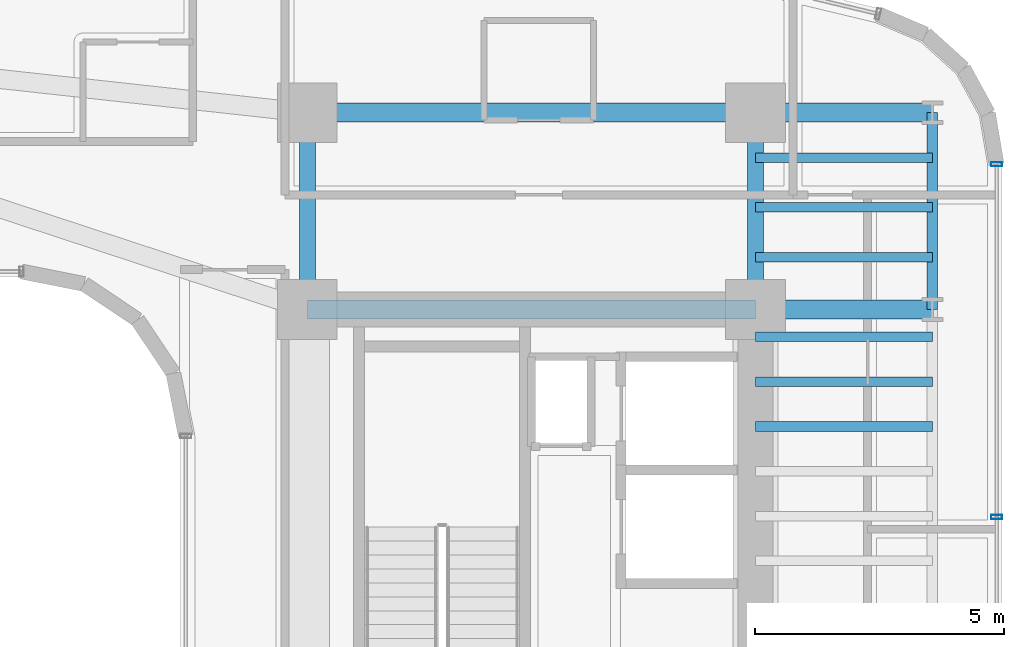
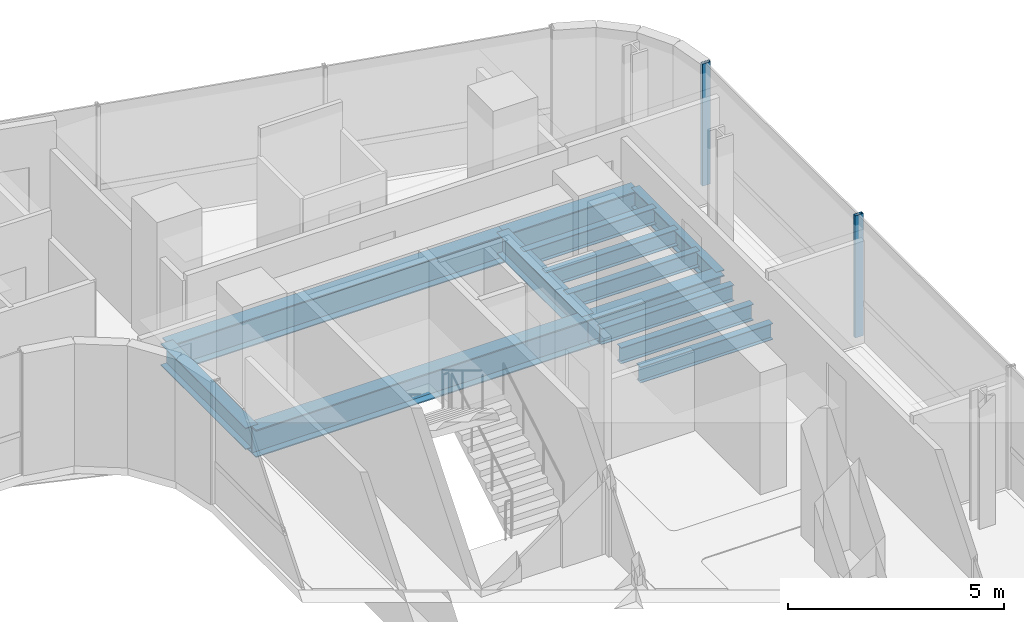
# One storey, part 18 of 35: 13 beams, 2 members, 1 element without a shape of its own.
"""IFC4 building model written with IfcOpenShell, lengths in metres."""

import ifcopenshell
import ifcopenshell.guid

model = None  # the IFC model being written
_history = None  # IfcOwnerHistory: only IFC2X3 demands one
_inside = {}  # id of a spatial element -> (the spatial element, [elements in it])
_under = {}  # id of a project, library or spatial element -> (it, [spatial elements below it])
_declared = {}  # id of a project -> (the project, [libraries it declares])
_typed = {}  # id of a type object -> (the type object, [elements of that type])
_made_of = {}  # id of a material, layer set ... -> (it, [elements and type objects made of it])


def new_model(schema):
    """Start an empty IFC model of exactly this schema.

    Asked for "IFC4X3", IfcOpenShell would pick the latest addendum, in which some entities
    have other attributes; the version numbers below select the first issue.
    IFC2X3 requires an IfcOwnerHistory on every rooted entity: one is made here for all.
    """
    global model, _history
    if schema == "IFC4X3":
        model = ifcopenshell.file(schema_version=(4, 3, 0, 0))
    else:
        model = ifcopenshell.file(schema=schema)
    _inside.clear()
    _under.clear()
    _declared.clear()
    _typed.clear()
    _made_of.clear()
    _history = None
    if model.schema == "IFC2X3":
        org = make("IfcOrganization", Name="unknown")
        user = make(
            "IfcPersonAndOrganization",
            ThePerson=make("IfcPerson", FamilyName="unknown"),
            TheOrganization=org,
        )
        app = make(
            "IfcApplication",
            ApplicationDeveloper=org,
            Version="unknown",
            ApplicationFullName="unknown",
            ApplicationIdentifier="unknown",
        )
        _history = make(
            "IfcOwnerHistory",
            OwningUser=user,
            OwningApplication=app,
            ChangeAction="ADDED",
            CreationDate=0,
        )
    return model


def make(cls, **values):
    """One entity of the class cls with the attributes given. An attribute that is None is left unset."""
    return model.create_entity(
        cls, **{name: value for name, value in values.items() if value is not None}
    )


def rooted(cls, **values):
    """An entity with a GlobalId (a new one), such as an element, a storey or a relation."""
    return make(cls, GlobalId=ifcopenshell.guid.new(), OwnerHistory=_history, **values)


def si_unit(unit_type, name, prefix=None):
    """IfcSIUnit, for example si_unit("LENGTHUNIT", "METRE", prefix="MILLI")."""
    return make("IfcSIUnit", UnitType=unit_type, Prefix=prefix, Name=name)


def assignment(units):
    """IfcUnitAssignment: the units of a project."""
    return None if units is None else make("IfcUnitAssignment", Units=units)


def point(xyz):
    """IfcCartesianPoint."""
    return None if xyz is None else make("IfcCartesianPoint", Coordinates=xyz)


def direction(xyz):
    """IfcDirection."""
    return None if xyz is None else make("IfcDirection", DirectionRatios=xyz)


def frame(location, z_axis=None, x_axis=None):
    """IfcAxis2Placement3D, a coordinate frame: its origin and axes. An axis left out is left unset."""
    return make(
        "IfcAxis2Placement3D",
        Location=point(location),
        Axis=direction(z_axis),
        RefDirection=direction(x_axis),
    )


def frame_2d(location, x_axis=None):
    """IfcAxis2Placement2D, a coordinate frame in the plane: its origin and x axis."""
    return make(
        "IfcAxis2Placement2D", Location=point(location), RefDirection=direction(x_axis)
    )


def origin():
    """The frame at (0, 0, 0) with its axes left unset."""
    return frame((0.0, 0.0, 0.0))


def origin_2d():
    """The frame at (0, 0) in the plane with its x axis left unset."""
    return frame_2d((0.0, 0.0))


def place(relative_to, where):
    """IfcLocalPlacement: puts the frame where relative to a parent placement (None: the world)."""
    return make(
        "IfcLocalPlacement", PlacementRelTo=relative_to, RelativePlacement=where
    )


def context(
    kind, dimensions, precision=None, world=None, true_north=None, identifier=None
):
    """IfcGeometricRepresentationContext, for example the 3D "Model" context."""
    return make(
        "IfcGeometricRepresentationContext",
        ContextIdentifier=identifier,
        ContextType=kind,
        CoordinateSpaceDimension=dimensions,
        Precision=precision,
        WorldCoordinateSystem=world,
        TrueNorth=true_north,
    )


def subcontext(parent, identifier, kind, view, scale=None):
    """IfcGeometricRepresentationSubContext, for example "Body" below "Model"."""
    return make(
        "IfcGeometricRepresentationSubContext",
        ContextIdentifier=identifier,
        ContextType=kind,
        ParentContext=parent,
        TargetScale=scale,
        TargetView=view,
    )


def project(units=None, contexts=None):
    """IfcProject with its units and contexts."""
    return rooted(
        "IfcProject",
        Name="project",
        RepresentationContexts=contexts,
        UnitsInContext=assignment(units),
    )


def spatial(cls, under=None, at=None, **own):
    """A site, building, storey or space (cls), placed at a placement, below another one or the project."""
    s = rooted(cls, ObjectPlacement=at, **own)
    if under is not None:
        _under.setdefault(under.id(), (under, []))[1].append(s)
    return s


def profile(cls, at=None, kind="AREA", **sizes):
    """A parametric profile (cls). Its sizes go by their IFC names, for example OverallWidth=200.0."""
    return make(cls, ProfileType=kind, Position=at, **sizes)


def hollow_rectangle(**sizes):
    """IfcRectangleHollowProfileDef."""
    return profile("IfcRectangleHollowProfileDef", **sizes)


def i_section(**sizes):
    """IfcIShapeProfileDef."""
    return profile("IfcIShapeProfileDef", **sizes)


def extrude(swept, where, along, depth):
    """IfcExtrudedAreaSolid: the profile swept, set in the frame where, extruded along a direction by depth."""
    return make(
        "IfcExtrudedAreaSolid",
        SweptArea=swept,
        Position=where,
        ExtrudedDirection=direction(along),
        Depth=depth,
    )


def shape(context_of_items, identifier, shape_type, items):
    """IfcShapeRepresentation: the items that make up one representation, for example the "Body"."""
    return make(
        "IfcShapeRepresentation",
        ContextOfItems=context_of_items,
        RepresentationIdentifier=identifier,
        RepresentationType=shape_type,
        Items=items,
    )


def source(mapping_origin, context_of_items, identifier, shape_type, items):
    """IfcRepresentationMap: a shape defined once, which mapped items show again and again."""
    return make(
        "IfcRepresentationMap",
        MappingOrigin=mapping_origin,
        MappedRepresentation=shape(context_of_items, identifier, shape_type, items),
    )


def transform(
    local_origin,
    x_axis=None,
    y_axis=None,
    z_axis=None,
    scale=None,
    scale2=None,
    scale3=None,
    uniform=True,
):
    """IfcCartesianTransformationOperator3D, or its non-uniform kind. x_axis, y_axis, z_axis: its Axis1, 2, 3."""
    if uniform:
        return make(
            "IfcCartesianTransformationOperator3D",
            Axis1=direction(x_axis),
            Axis2=direction(y_axis),
            LocalOrigin=point(local_origin),
            Scale=scale,
            Axis3=direction(z_axis),
        )
    return make(
        "IfcCartesianTransformationOperator3DnonUniform",
        Axis1=direction(x_axis),
        Axis2=direction(y_axis),
        LocalOrigin=point(local_origin),
        Scale=scale,
        Axis3=direction(z_axis),
        Scale2=scale2,
        Scale3=scale3,
    )


def mapped(mapping_source, mapping_target):
    """IfcMappedItem: shows the shape of a source again, moved by a transform."""
    return make(
        "IfcMappedItem", MappingSource=mapping_source, MappingTarget=mapping_target
    )


def material(Name=None, Category=None):
    """IfcMaterial."""
    return make("IfcMaterial", Name=Name, Category=Category)


def material_profile(
    of_material, cross_section, Name=None, Category=None, Priority=None
):
    """IfcMaterialProfile: a cross section and its material."""
    return make(
        "IfcMaterialProfile",
        Name=Name,
        Material=of_material,
        Profile=cross_section,
        Priority=Priority,
        Category=Category,
    )


def profile_set(profiles, Name=None, composite=None):
    """IfcMaterialProfileSet."""
    return make(
        "IfcMaterialProfileSet",
        Name=Name,
        MaterialProfiles=profiles,
        CompositeProfile=composite,
    )


def made_of(thing, what):
    """Note that an element or type object is made of a material, layer set ...; save() writes the relation."""
    if what is not None:
        _made_of.setdefault(what.id(), (what, []))[1].append(thing)
    return thing


def type_object(cls, material=None, **own):
    """A type object (cls), such as IfcWallType, which elements share."""
    return made_of(rooted(cls, **own), material)


def element(
    cls,
    number,
    at=None,
    inside=None,
    cuts=None,
    type_object=None,
    material=None,
    context=None,
    identifier="Body",
    shape_type=None,
    held_by="IfcProductDefinitionShape",
    body=None,
    shapes=None,
    **own,
):
    """One element of the class cls, such as IfcWall. Its Tag is "e" and its number.

    at: its placement. inside: the storey or other place that contains it. cuts: it is an
    opening in that element (IfcRelVoidsElement). A single representation is given by context,
    identifier, shape_type and body (its items); several are given by shapes. held_by: the class
    of the entity that holds the representations. save() writes the other relations.
    """
    e = rooted(cls, Tag="e%d" % number, ObjectPlacement=at, **own)
    if body is not None:
        shapes = [shape(context, identifier, shape_type, body)]
    if shapes is not None:
        e.Representation = make(held_by, Representations=shapes)
    if inside is not None:
        _inside.setdefault(inside.id(), (inside, []))[1].append(e)
    if cuts is not None:
        rooted(
            "IfcRelVoidsElement", RelatingBuildingElement=cuts, RelatedOpeningElement=e
        )
    if type_object is not None:
        _typed.setdefault(type_object.id(), (type_object, []))[1].append(e)
    return made_of(e, material)


def aggregate(whole, parts):
    """IfcRelAggregates: a whole, such as a stair, and the parts it consists of."""
    return rooted("IfcRelAggregates", RelatingObject=whole, RelatedObjects=parts)


def save(model, path):
    """Write the relations noted so far, then the file.

    IfcRelAggregates (storeys below a building ...), IfcRelContainedInSpatialStructure (elements
    in a storey), IfcRelDefinesByType, IfcRelAssociatesMaterial and IfcRelDeclares: one each for
    every whole, place, type object, material and project.
    """
    for whole, parts in _under.values():
        aggregate(whole, parts)
    for where, things in _inside.values():
        rooted(
            "IfcRelContainedInSpatialStructure",
            RelatedElements=things,
            RelatingStructure=where,
        )
    for kind, things in _typed.values():
        rooted("IfcRelDefinesByType", RelatedObjects=things, RelatingType=kind)
    for what, things in _made_of.values():
        rooted("IfcRelAssociatesMaterial", RelatedObjects=things, RelatingMaterial=what)
    for by, libraries in _declared.values():
        rooted("IfcRelDeclares", RelatingContext=by, RelatedDefinitions=libraries)
    model.write(path)


model = new_model("IFC4")

# Units and contexts
model_context = context("Model", 3, precision=1e-05, world=origin(), true_north=direction((0.0, 1.0)))
body_context = subcontext(model_context, "Body", "Model", "MODEL_VIEW")
ifc_project = project(units=[si_unit("LENGTHUNIT", "METRE"), si_unit("AREAUNIT", "SQUARE_METRE"), si_unit("VOLUMEUNIT", "CUBIC_METRE"), si_unit("PLANEANGLEUNIT", "RADIAN"), si_unit("MASSUNIT", "GRAM", prefix="KILO")], contexts=[model_context])

# Site, building, storey
site_placement = place(None, origin())
site = spatial("IfcSite", under=ifc_project, at=site_placement, CompositionType="ELEMENT")
building_placement = place(site_placement, origin())
building = spatial("IfcBuilding", under=site, at=building_placement, Name="Valdorenza Pilgrim Sanctuary Tower", CompositionType="ELEMENT")
storey_placement = place(building_placement, frame((0.0, 0.0, 116.800048828125)))
storey = spatial("IfcBuildingStorey", under=building, at=storey_placement, Name="L29", CompositionType="ELEMENT", Elevation=116.800048828125)

# Beams
ifc_material_1 = material(Name="Steel ASTM A992 Grade 50", Category="steel")
ifc_material_profile_1 = material_profile(ifc_material_1, i_section(OverallWidth=0.323974609375, OverallDepth=0.611083984375, WebThickness=0.0126953125, FlangeThickness=0.01904296875, at=origin_2d()), Name="W24X104")
ifc_profile_set_1 = profile_set([ifc_material_profile_1], Name="Steel ASTM A992 Grade 50")
beam_type_1 = type_object("IfcBeamType", Name="STR-BM-GRD-W24B", PredefinedType="BEAM", material=ifc_profile_set_1)
shared_shape_1 = source(origin(), body_context, "Body", "SweptSolid", [
    extrude(i_section(OverallWidth=0.323974609375, OverallDepth=0.611083984375, WebThickness=0.0126953125, FlangeThickness=0.01904296875, at=origin_2d()), origin(), (0.0, 0.0, 1.0), 3.949951171875),
])
for number, where, z_axis, x_axis, name in (
    (1, (15.85009765625, 9.550048828125, -0.545654296875), (0.0, 1.0, 0.0), (-1.0, 0.0, 0.0), "L29 Core Tie Girder CB-W-N1N2"),
    (2, (24.85009765625, 9.550048828125, -0.545654296875), (0.0, 1.0, 0.0), (-1.0, 0.0, 0.0), "L29 Core Tie Girder CB-E-N1N2"),
):
    element("IfcBeam", number, at=place(storey_placement, frame(where, z_axis=z_axis, x_axis=x_axis)), inside=storey, type_object=beam_type_1, Name=name, PredefinedType="BEAM", context=body_context, shape_type="MappedRepresentation", body=[
        mapped(shared_shape_1, transform((0.0, 0.0, 0.0), x_axis=(1.0, 0.0, 0.0), y_axis=(0.0, 1.0, 0.0), z_axis=(0.0, 0.0, 1.0), scale=1.0)),
    ])
ifc_material_profile_2 = material_profile(ifc_material_1, i_section(OverallWidth=0.214111328125, OverallDepth=0.549072265625, WebThickness=0.0146484375, FlangeThickness=0.023681640625, at=origin_2d()), Name="W21X93")
ifc_profile_set_2 = profile_set([ifc_material_profile_2], Name="Steel ASTM A992 Grade 50")
beam_type_2 = type_object("IfcBeamType", Name="STR-BM-SPN-W21A", PredefinedType="SPANDREL", material=ifc_profile_set_2)
shared_shape_2 = source(origin(), body_context, "Body", "SweptSolid", [
    extrude(i_section(OverallWidth=0.214111328125, OverallDepth=0.549072265625, WebThickness=0.0146484375, FlangeThickness=0.023681640625, at=origin_2d()), origin(), (0.0, 0.0, 1.0), 3.949951171875),
])
beam_placement = place(storey_placement, frame((28.39990234375, 9.550048828125, -0.5146484375), z_axis=(0.0, 1.0, 0.0), x_axis=(-1.0, 0.0, 0.0)))
element("IfcBeam", 3, at=beam_placement, inside=storey, type_object=beam_type_2, Name="L29 Spandrel Beam WB-E-N1N2", PredefinedType="SPANDREL", context=body_context, shape_type="MappedRepresentation", body=[
    mapped(shared_shape_2, transform((0.0, 0.0, 0.0), x_axis=(1.0, 0.0, 0.0), y_axis=(0.0, 1.0, 0.0), z_axis=(0.0, 0.0, 1.0), scale=1.0)),
])
ifc_material_profile_3 = material_profile(ifc_material_1, i_section(OverallWidth=0.382080078125, OverallDepth=0.779052734375, WebThickness=0.01806640625, FlangeThickness=0.030029296875, at=origin_2d()), Name="W30X191")
ifc_profile_set_3 = profile_set([ifc_material_profile_3], Name="Steel ASTM A992 Grade 50")
beam_type_3 = type_object("IfcBeamType", Name="STR-BM-GRD-W30", PredefinedType="BEAM", material=ifc_profile_set_3)
shared_shape_3 = source(origin(), body_context, "Body", "SweptSolid", [
    extrude(i_section(OverallWidth=0.382080078125, OverallDepth=0.779052734375, WebThickness=0.01806640625, FlangeThickness=0.030029296875, at=origin_2d()), origin(), (0.0, 0.0, 1.0), 9.0),
])
for number, where, z_axis, x_axis, name in (
    (4, (15.85009765625, 9.550048828125, -0.629638671875), (1.0, 0.0, 0.0), (0.0, 1.0, 0.0), "L29 Floor Girder CB-XC-N1"),
    (5, (15.85009765625, 13.5, -0.629638671875), (1.0, 0.0, 0.0), (0.0, 1.0, 0.0), "L29 Floor Girder CB-XC-N2"),
):
    element("IfcBeam", number, at=place(storey_placement, frame(where, z_axis=z_axis, x_axis=x_axis)), inside=storey, type_object=beam_type_3, Name=name, PredefinedType="BEAM", context=body_context, shape_type="MappedRepresentation", body=[
        mapped(shared_shape_3, transform((0.0, 0.0, 0.0), x_axis=(1.0, 0.0, 0.0), y_axis=(0.0, 1.0, 0.0), z_axis=(0.0, 0.0, 1.0), scale=1.0)),
    ])
shared_shape_4 = source(origin(), body_context, "Body", "SweptSolid", [
    extrude(i_section(OverallWidth=0.382080078125, OverallDepth=0.779052734375, WebThickness=0.01806640625, FlangeThickness=0.030029296875, at=origin_2d()), origin(), (0.0, 0.0, 1.0), 3.5498046875),
])
for number, where, z_axis, x_axis, name in (
    (6, (24.85009765625, 9.550048828125, -0.629638671875), (1.0, 0.0, 0.0), (0.0, 1.0, 0.0), "L29 Floor Girder WB-XE-N1"),
    (7, (24.85009765625, 13.5, -0.629638671875), (1.0, 0.0, 0.0), (0.0, 1.0, 0.0), "L29 Floor Girder WB-XE-N2"),
):
    element("IfcBeam", number, at=place(storey_placement, frame(where, z_axis=z_axis, x_axis=x_axis)), inside=storey, type_object=beam_type_3, Name=name, PredefinedType="BEAM", context=body_context, shape_type="MappedRepresentation", body=[
        mapped(shared_shape_4, transform((0.0, 0.0, 0.0), x_axis=(1.0, 0.0, 0.0), y_axis=(0.0, 1.0, 0.0), z_axis=(0.0, 0.0, 1.0), scale=1.0)),
    ])
ifc_material_profile_4 = material_profile(ifc_material_1, i_section(OverallWidth=0.19091796875, OverallDepth=0.45703125, WebThickness=0.009033203125, FlangeThickness=0.014404296875, at=origin_2d()), Name="W18X50")
ifc_profile_set_4 = profile_set([ifc_material_profile_4], Name="Steel ASTM A992 Grade 50")
beam_type_4 = type_object("IfcBeamType", Name="STR-BM-JST-W18B", PredefinedType="JOIST", material=ifc_profile_set_4)
shared_shape_5 = source(origin(), body_context, "Body", "SweptSolid", [
    extrude(i_section(OverallWidth=0.19091796875, OverallDepth=0.45703125, WebThickness=0.009033203125, FlangeThickness=0.014404296875, at=origin_2d()), origin(), (0.0, 0.0, 1.0), 3.5498046875),
])
for number, where, z_axis, x_axis, name in (
    (8, (24.85009765625, 7.199951171875, -0.468505859375), (1.0, 0.0, 0.0), (0.0, 1.0, 0.0), "L29 Composite Floor Joist JST-WB-16"),
    (9, (24.85009765625, 8.10009765625, -0.468505859375), (1.0, 0.0, 0.0), (0.0, 1.0, 0.0), "L29 Composite Floor Joist JST-WB-17"),
    (10, (24.85009765625, 9.0, -0.468505859375), (1.0, 0.0, 0.0), (0.0, 1.0, 0.0), "L29 Composite Floor Joist JST-WB-18"),
    (11, (24.85009765625, 10.60009765625, -0.468505859375), (1.0, 0.0, 0.0), (0.0, 1.0, 0.0), "L29 Composite Floor Joist JST-WB-19"),
    (12, (24.85009765625, 11.60009765625, -0.468505859375), (1.0, 0.0, 0.0), (0.0, 1.0, 0.0), "L29 Composite Floor Joist JST-WB-20"),
    (13, (24.85009765625, 12.60009765625, -0.468505859375), (1.0, 0.0, 0.0), (0.0, 1.0, 0.0), "L29 Composite Floor Joist JST-WB-21"),
):
    element("IfcBeam", number, at=place(storey_placement, frame(where, z_axis=z_axis, x_axis=x_axis)), inside=storey, type_object=beam_type_4, Name=name, PredefinedType="JOIST", context=body_context, shape_type="MappedRepresentation", body=[
        mapped(shared_shape_5, transform((0.0, 0.0, 0.0), x_axis=(1.0, 0.0, 0.0), y_axis=(0.0, 1.0, 0.0), z_axis=(0.0, 0.0, 1.0), scale=1.0)),
    ])

# Curtain wall, members
ifc_material_2 = material(Name="Curtain-wall IGU glazing", Category="glass")
curtain_wall_type = type_object("IfcCurtainWallType", Name="CW-SYS-03", PredefinedType="NOTDEFINED", material=ifc_material_2)
curtain_wall_placement = place(storey_placement, origin())
curtain_wall = element("IfcCurtainWall", 14, at=curtain_wall_placement, inside=storey, type_object=curtain_wall_type, Name="L29 Curtain Wall CW-L29-1-21", PredefinedType="NOTDEFINED")
ifc_material_3 = material(Name="Anodised aluminium AW-6060", Category="aluminium")
ifc_material_profile_5 = material_profile(ifc_material_3, hollow_rectangle(XDim=0.0849609375, YDim=0.219970703125, WallThickness=0.0048828125, at=origin_2d()), Name="ALU-M 220x85x5")
ifc_profile_set_5 = profile_set([ifc_material_profile_5], Name="Anodised aluminium AW-6060")
member_type = type_object("IfcMemberType", Name="CW-MUL-03", PredefinedType="MULLION", material=ifc_profile_set_5)
shared_shape_6 = source(origin(), body_context, "Body", "SweptSolid", [
    extrude(hollow_rectangle(XDim=0.0849609375, YDim=0.219970703125, WallThickness=0.0048828125, at=origin_2d()), origin(), (0.0, 0.0, 1.0), 3.4599609375),
])
member_1_placement = place(storey_placement, frame((29.68994140625, 12.46630859375, 0.0), z_axis=(0.0, 0.0, 1.0), x_axis=(0.0, -1.0, 0.0)))
member_1 = element("IfcMember", 15, at=member_1_placement, type_object=member_type, Name="CW-L29-1-21 Mullion 1", PredefinedType="MULLION", context=body_context, shape_type="MappedRepresentation", body=[
    mapped(shared_shape_6, transform((0.0, 0.0, 0.0), x_axis=(1.0, 0.0, 0.0), y_axis=(0.0, 1.0, 0.0), z_axis=(0.0, 0.0, 1.0), scale=1.0)),
])
member_2_placement = place(storey_placement, frame((29.68994140625, 5.381103515625, 0.0), z_axis=(0.0, 0.0, 1.0), x_axis=(0.0, -1.0, 0.0)))
member_2 = element("IfcMember", 16, at=member_2_placement, type_object=member_type, Name="CW-L29-1-21 Mullion 2", PredefinedType="MULLION", context=body_context, shape_type="MappedRepresentation", body=[
    mapped(shared_shape_6, transform((0.0, 0.0, 0.0), x_axis=(1.0, 0.0, 0.0), y_axis=(0.0, 1.0, 0.0), z_axis=(0.0, 0.0, 1.0), scale=1.0)),
])
aggregate(curtain_wall, [member_1, member_2])

save(model, "model.ifc")
